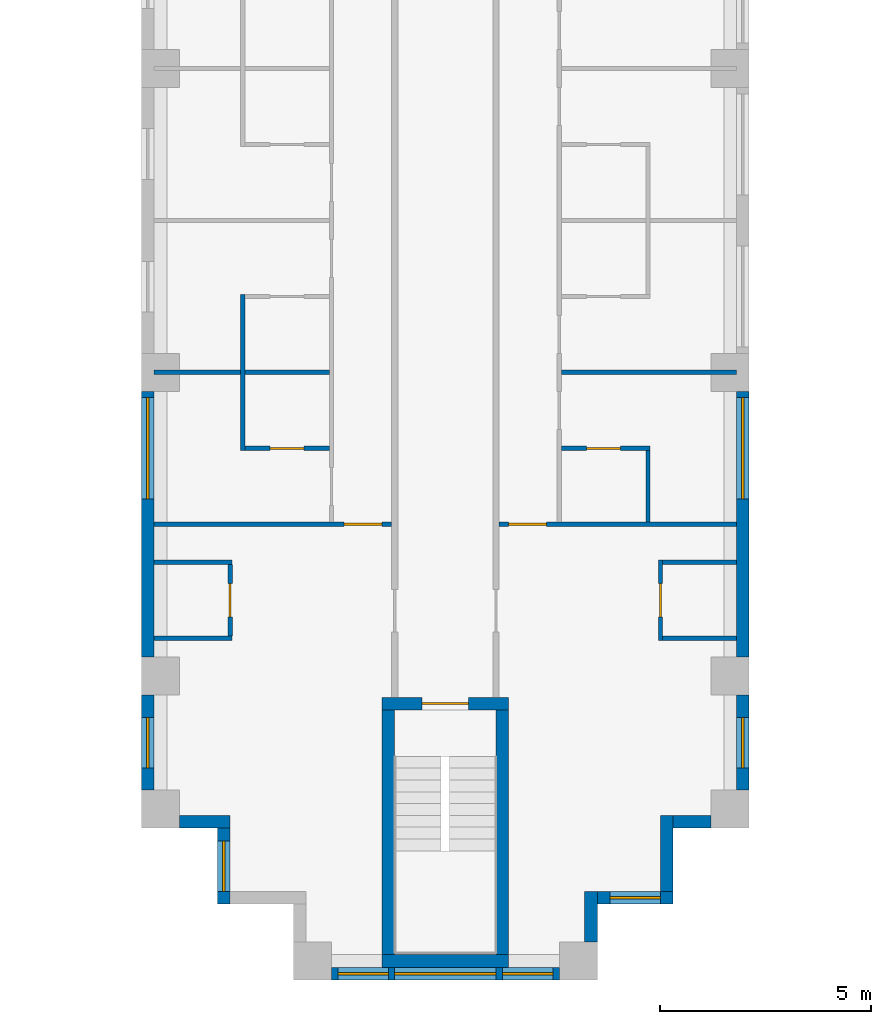
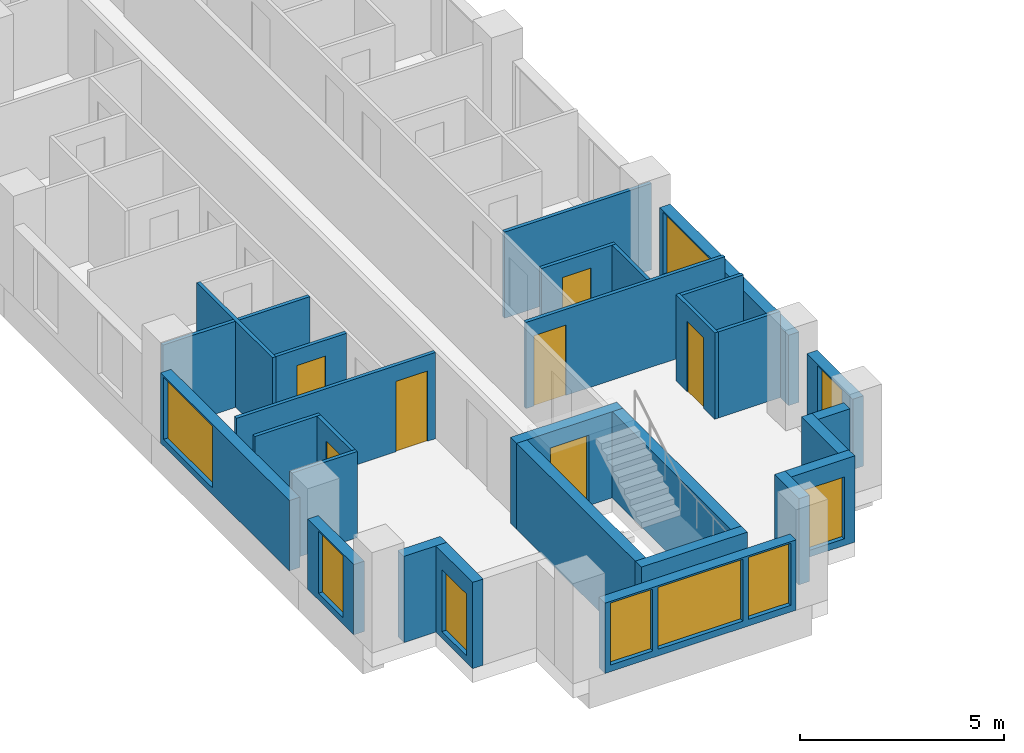
# One storey, part 3 of 16: 29 walls, 9 windows, 7 doors, 16 openings.
"""IFC4 building model written with IfcOpenShell, lengths in metres."""

from ifc_helpers import new_model, si_unit, direction, frame, frame_2d, origin, place, context, subcontext, project, spatial, rectangle, extrude, material, layer, layer_set, type_object, element, fill, save


model = new_model("IFC4")

# Units and contexts
model_context = context("Model", 3, precision=1e-05, world=origin(), true_north=direction((0.0, 1.0)))
body_context = subcontext(model_context, "Body", "Model", "MODEL_VIEW")
ifc_project = project(units=[si_unit("LENGTHUNIT", "METRE"), si_unit("AREAUNIT", "SQUARE_METRE"), si_unit("VOLUMEUNIT", "CUBIC_METRE"), si_unit("PLANEANGLEUNIT", "RADIAN"), si_unit("MASSUNIT", "GRAM", prefix="KILO")], contexts=[model_context])

# Site, building, storey
site_placement = place(None, origin())
site = spatial("IfcSite", under=ifc_project, at=site_placement, CompositionType="ELEMENT")
building_placement = place(site_placement, origin())
building = spatial("IfcBuilding", under=site, at=building_placement, Name="Fustian Cross Tower", CompositionType="ELEMENT")
storey_placement = place(building_placement, frame((0.0, 0.0, 23.699951171875)))
storey = spatial("IfcBuildingStorey", under=building, at=storey_placement, Name="L06", CompositionType="ELEMENT", Elevation=23.699951171875)

# Walls
ifc_material_1 = material(Name="Plasterboard on steel stud", Category="steel")
ifc_layer_1 = layer(ifc_material_1, 0.10009765625)
ifc_layer_set_1 = layer_set([ifc_layer_1], Name="Plasterboard on steel stud")
wall_type_1 = type_object("IfcWallType", Name="PARTITION 100 STUD", PredefinedType="PARTITIONING", material=ifc_layer_set_1)
for number, where, z_axis, x_axis, name in (
    (1, (-6.89990234375, -35.10009765625, 0.0), (0.0, 0.0, 1.0), (1.0, 0.0, 0.0), "Partition 17"),
    (2, (-6.89990234375, -33.300048828125, 0.0), (0.0, 0.0, 1.0), (1.0, 0.0, 0.0), "Partition 18"),
):
    element("IfcWall", number, at=place(storey_placement, frame(where, z_axis=z_axis, x_axis=x_axis)), inside=storey, type_object=wall_type_1, Name=name, PredefinedType="PARTITIONING", context=body_context, shape_type="SweptSolid", body=[
        extrude(rectangle(XDim=1.849853515625, YDim=0.10009765625, at=frame_2d((0.9248046875, 0.0))), origin(), (0.0, 0.0, 1.0), 2.574951171875),
    ])

# Wall, opening, door
wall_1_placement = place(storey_placement, frame((-6.89990234375, -32.39990234375, 0.0), z_axis=(0.0, 0.0, 1.0), x_axis=(1.0, 0.0, 0.0)))
wall_1 = element("IfcWall", 3, at=wall_1_placement, inside=storey, type_object=wall_type_1, Name="Partition 19", PredefinedType="PARTITIONING", context=body_context, shape_type="SweptSolid", body=[
    extrude(rectangle(XDim=5.625, YDim=0.10009765625, at=frame_2d((2.8125, 0.0))), origin(), (0.0, 0.0, 1.0), 2.574951171875),
])
opening_1_placement = place(wall_1_placement, frame((4.5, 0.0, 0.0)))
opening_1 = element("IfcOpeningElement", 4, at=opening_1_placement, cuts=wall_1, Name="Opening D05073", PredefinedType="OPENING", context=body_context, shape_type="SweptSolid", body=[
    extrude(rectangle(XDim=0.89990234375, YDim=2.10009765625, at=frame_2d((0.449951171875, 1.050048828125))), frame((0.0, 0.06005859375, 0.0), z_axis=(0.0, -1.0, 0.0), x_axis=(1.0, 0.0, 0.0)), (0.0, 0.0, 1.0), 0.1201171875),
])
ifc_material_2 = material(Name="Painted timber", Category="wood")
door_type_1 = type_object("IfcDoorType", Name="SWING DOOR 900", OperationType="SINGLE_SWING_LEFT", PredefinedType="DOOR", material=ifc_material_2)
door_1_placement = place(opening_1_placement, origin())
door_1 = element("IfcDoor", 5, at=door_1_placement, inside=storey, type_object=door_type_1, Name="Door D05073", OperationType="SINGLE_SWING_LEFT", OverallHeight=2.10009765625, OverallWidth=0.89990234375, PredefinedType="DOOR", context=body_context, shape_type="SweptSolid", body=[
    extrude(rectangle(XDim=0.89990234375, YDim=2.10009765625, at=frame_2d((0.449951171875, 1.050048828125))), frame((0.0, 0.02490234375, 0.0), z_axis=(0.0, -1.0, 0.0), x_axis=(1.0, 0.0, 0.0)), (0.0, 0.0, 1.0), 0.050048828125),
])
fill(opening_1, door_1)

# Wall
wall_2_placement = place(storey_placement, frame((-6.89990234375, -28.800048828125, 0.0), z_axis=(0.0, 0.0, 1.0), x_axis=(1.0, 0.0, 0.0)))
element("IfcWall", 6, at=wall_2_placement, inside=storey, type_object=wall_type_1, Name="Partition 20", PredefinedType="PARTITIONING", context=body_context, shape_type="SweptSolid", body=[
    extrude(rectangle(XDim=4.14990234375, YDim=0.10009765625, at=frame_2d((2.074951171875, 0.0))), origin(), (0.0, 0.0, 1.0), 2.574951171875),
])

# Wall, opening, door
wall_3_placement = place(storey_placement, frame((-5.10009765625, -35.050048828125, 0.0), z_axis=(0.0, 0.0, 1.0), x_axis=(0.0, 1.0, 0.0)))
wall_3 = element("IfcWall", 7, at=wall_3_placement, inside=storey, type_object=wall_type_1, Name="Partition 31", PredefinedType="PARTITIONING", context=body_context, shape_type="SweptSolid", body=[
    extrude(rectangle(XDim=1.699951171875, YDim=0.10009765625, at=frame_2d((0.85009765625, 0.0))), origin(), (0.0, 0.0, 1.0), 2.574951171875),
])
opening_2_placement = place(wall_3_placement, frame((0.449951171875, 0.0, 0.0)))
opening_2 = element("IfcOpeningElement", 8, at=opening_2_placement, cuts=wall_3, Name="Opening D05067", PredefinedType="OPENING", context=body_context, shape_type="SweptSolid", body=[
    extrude(rectangle(XDim=0.800048828125, YDim=2.10009765625, at=frame_2d((0.39990234375, 1.050048828125))), frame((0.0, 0.06005859375, 0.0), z_axis=(0.0, -1.0, 0.0), x_axis=(1.0, 0.0, 0.0)), (0.0, 0.0, 1.0), 0.1201171875),
])
ifc_material_3 = material(Name="Painted timber", Category="wood")
door_type_2 = type_object("IfcDoorType", Name="SWING DOOR 800", OperationType="SINGLE_SWING_LEFT", PredefinedType="DOOR", material=ifc_material_3)
door_2_placement = place(opening_2_placement, origin())
door_2 = element("IfcDoor", 9, at=door_2_placement, inside=storey, type_object=door_type_2, Name="Door D05067", OperationType="SINGLE_SWING_RIGHT", OverallHeight=2.10009765625, OverallWidth=0.800048828125, PredefinedType="DOOR", context=body_context, shape_type="SweptSolid", body=[
    extrude(rectangle(XDim=0.800048828125, YDim=2.10009765625, at=frame_2d((0.39990234375, 1.050048828125))), frame((0.0, 0.02490234375, 0.0), z_axis=(0.0, -1.0, 0.0), x_axis=(1.0, 0.0, 0.0)), (0.0, 0.0, 1.0), 0.050048828125),
])
fill(opening_2, door_2)

# Wall
wall_4_placement = place(storey_placement, frame((-4.800048828125, -30.64990234375, 0.0), z_axis=(0.0, 0.0, 1.0), x_axis=(0.0, 1.0, 0.0)))
element("IfcWall", 10, at=wall_4_placement, inside=storey, type_object=wall_type_1, Name="Partition 33", PredefinedType="PARTITIONING", context=body_context, shape_type="SweptSolid", body=[
    extrude(rectangle(XDim=3.699951171875, YDim=0.10009765625, at=frame_2d((1.85009765625, 0.0))), origin(), (0.0, 0.0, 1.0), 2.574951171875),
])

# Wall, opening, door
wall_5_placement = place(storey_placement, frame((-4.75, -30.60009765625, 0.0), z_axis=(0.0, 0.0, 1.0), x_axis=(1.0, 0.0, 0.0)))
wall_5 = element("IfcWall", 11, at=wall_5_placement, inside=storey, type_object=wall_type_1, Name="Partition 34", PredefinedType="PARTITIONING", context=body_context, shape_type="SweptSolid", body=[
    extrude(rectangle(XDim=2.0, YDim=0.10009765625, at=frame_2d((1.0, 0.0))), origin(), (0.0, 0.0, 1.0), 2.574951171875),
])
opening_3_placement = place(wall_5_placement, frame((0.60009765625, 0.0, 0.0)))
opening_3 = element("IfcOpeningElement", 12, at=opening_3_placement, cuts=wall_5, Name="Opening D05077", PredefinedType="OPENING", context=body_context, shape_type="SweptSolid", body=[
    extrude(rectangle(XDim=0.800048828125, YDim=2.10009765625, at=frame_2d((0.39990234375, 1.050048828125))), frame((0.0, 0.06005859375, 0.0), z_axis=(0.0, -1.0, 0.0), x_axis=(1.0, 0.0, 0.0)), (0.0, 0.0, 1.0), 0.1201171875),
])
door_3_placement = place(opening_3_placement, origin())
door_3 = element("IfcDoor", 13, at=door_3_placement, inside=storey, type_object=door_type_2, Name="Door D05077", OperationType="SINGLE_SWING_LEFT", OverallHeight=2.10009765625, OverallWidth=0.800048828125, PredefinedType="DOOR", context=body_context, shape_type="SweptSolid", body=[
    extrude(rectangle(XDim=0.800048828125, YDim=2.10009765625, at=frame_2d((0.39990234375, 1.050048828125))), frame((0.0, 0.02490234375, 0.0), z_axis=(0.0, -1.0, 0.0), x_axis=(1.0, 0.0, 0.0)), (0.0, 0.0, 1.0), 0.050048828125),
])
fill(opening_3, door_3)

wall_6_placement = place(storey_placement, frame((1.27490234375, -32.39990234375, 0.0), z_axis=(0.0, 0.0, 1.0), x_axis=(1.0, 0.0, 0.0)))
wall_6 = element("IfcWall", 14, at=wall_6_placement, inside=storey, type_object=wall_type_1, Name="Partition 54", PredefinedType="PARTITIONING", context=body_context, shape_type="SweptSolid", body=[
    extrude(rectangle(XDim=5.625, YDim=0.10009765625, at=frame_2d((2.8125, 0.0))), origin(), (0.0, 0.0, 1.0), 2.574951171875),
])
opening_4_placement = place(wall_6_placement, frame((0.22509765625, 0.0, 0.0)))
opening_4 = element("IfcOpeningElement", 15, at=opening_4_placement, cuts=wall_6, Name="Opening D05053", PredefinedType="OPENING", context=body_context, shape_type="SweptSolid", body=[
    extrude(rectangle(XDim=0.89990234375, YDim=2.10009765625, at=frame_2d((0.449951171875, 1.050048828125))), frame((0.0, 0.06005859375, 0.0), z_axis=(0.0, -1.0, 0.0), x_axis=(1.0, 0.0, 0.0)), (0.0, 0.0, 1.0), 0.1201171875),
])
door_4_placement = place(opening_4_placement, origin())
door_4 = element("IfcDoor", 16, at=door_4_placement, inside=storey, type_object=door_type_1, Name="Door D05053", OperationType="SINGLE_SWING_LEFT", OverallHeight=2.10009765625, OverallWidth=0.89990234375, PredefinedType="DOOR", context=body_context, shape_type="SweptSolid", body=[
    extrude(rectangle(XDim=0.89990234375, YDim=2.10009765625, at=frame_2d((0.449951171875, 1.050048828125))), frame((0.0, 0.02490234375, 0.0), z_axis=(0.0, -1.0, 0.0), x_axis=(1.0, 0.0, 0.0)), (0.0, 0.0, 1.0), 0.050048828125),
])
fill(opening_4, door_4)

wall_7_placement = place(storey_placement, frame((2.75, -30.60009765625, 0.0), z_axis=(0.0, 0.0, 1.0), x_axis=(1.0, 0.0, 0.0)))
wall_7 = element("IfcWall", 17, at=wall_7_placement, inside=storey, type_object=wall_type_1, Name="Partition 65", PredefinedType="PARTITIONING", context=body_context, shape_type="SweptSolid", body=[
    extrude(rectangle(XDim=2.10009765625, YDim=0.10009765625, at=frame_2d((1.050048828125, 0.0))), origin(), (0.0, 0.0, 1.0), 2.574951171875),
])
opening_5_placement = place(wall_7_placement, frame((0.60009765625, 0.0, 0.0)))
opening_5 = element("IfcOpeningElement", 18, at=opening_5_placement, cuts=wall_7, Name="Opening D05063", PredefinedType="OPENING", context=body_context, shape_type="SweptSolid", body=[
    extrude(rectangle(XDim=0.800048828125, YDim=2.10009765625, at=frame_2d((0.39990234375, 1.050048828125))), frame((0.0, 0.06005859375, 0.0), z_axis=(0.0, -1.0, 0.0), x_axis=(1.0, 0.0, 0.0)), (0.0, 0.0, 1.0), 0.1201171875),
])
door_5_placement = place(opening_5_placement, frame((0.800048828125, 0.0, 0.0), z_axis=(0.0, 0.0, 1.0), x_axis=(-1.0, 0.0, 0.0)))
door_5 = element("IfcDoor", 19, at=door_5_placement, inside=storey, type_object=door_type_2, Name="Door D05063", OperationType="SINGLE_SWING_RIGHT", OverallHeight=2.10009765625, OverallWidth=0.800048828125, PredefinedType="DOOR", context=body_context, shape_type="SweptSolid", body=[
    extrude(rectangle(XDim=0.800048828125, YDim=2.10009765625, at=frame_2d((0.39990234375, 1.050048828125))), frame((0.0, 0.02490234375, 0.0), z_axis=(0.0, -1.0, 0.0), x_axis=(1.0, 0.0, 0.0)), (0.0, 0.0, 1.0), 0.050048828125),
])
fill(opening_5, door_5)

# Walls
wall_8_placement = place(storey_placement, frame((2.75, -28.800048828125, 0.0), z_axis=(0.0, 0.0, 1.0), x_axis=(1.0, 0.0, 0.0)))
element("IfcWall", 20, at=wall_8_placement, inside=storey, type_object=wall_type_1, Name="Partition 66", PredefinedType="PARTITIONING", context=body_context, shape_type="SweptSolid", body=[
    extrude(rectangle(XDim=4.14990234375, YDim=0.10009765625, at=frame_2d((2.074951171875, 0.0))), origin(), (0.0, 0.0, 1.0), 2.574951171875),
])
wall_9_placement = place(storey_placement, frame((4.800048828125, -32.35009765625, 0.0), z_axis=(0.0, 0.0, 1.0), x_axis=(0.0, 1.0, 0.0)))
element("IfcWall", 21, at=wall_9_placement, inside=storey, type_object=wall_type_1, Name="Partition 80", PredefinedType="PARTITIONING", context=body_context, shape_type="SweptSolid", body=[
    extrude(rectangle(XDim=1.7001953125, YDim=0.10009765625, at=frame_2d((0.85009765625, 0.0))), origin(), (0.0, 0.0, 1.0), 2.574951171875),
])

# Wall, opening, door
wall_10_placement = place(storey_placement, frame((5.10009765625, -35.14990234375, 0.0), z_axis=(0.0, 0.0, 1.0), x_axis=(0.0, 1.0, 0.0)))
wall_10 = element("IfcWall", 22, at=wall_10_placement, inside=storey, type_object=wall_type_1, Name="Partition 85", PredefinedType="PARTITIONING", context=body_context, shape_type="SweptSolid", body=[
    extrude(rectangle(XDim=1.89990234375, YDim=0.10009765625, at=frame_2d((0.949951171875, 0.0))), origin(), (0.0, 0.0, 1.0), 2.574951171875),
])
opening_6_placement = place(wall_10_placement, frame((0.550048828125, 0.0, 0.0)))
opening_6 = element("IfcOpeningElement", 23, at=opening_6_placement, cuts=wall_10, Name="Opening D05051", PredefinedType="OPENING", context=body_context, shape_type="SweptSolid", body=[
    extrude(rectangle(XDim=0.800048828125, YDim=2.10009765625, at=frame_2d((0.39990234375, 1.050048828125))), frame((0.0, 0.06005859375, 0.0), z_axis=(0.0, -1.0, 0.0), x_axis=(1.0, 0.0, 0.0)), (0.0, 0.0, 1.0), 0.1201171875),
])
door_6_placement = place(opening_6_placement, frame((0.800048828125, 0.0, 0.0), z_axis=(0.0, 0.0, 1.0), x_axis=(-1.0, 0.0, 0.0)))
door_6 = element("IfcDoor", 24, at=door_6_placement, inside=storey, type_object=door_type_2, Name="Door D05051", OperationType="SINGLE_SWING_LEFT", OverallHeight=2.10009765625, OverallWidth=0.800048828125, PredefinedType="DOOR", context=body_context, shape_type="SweptSolid", body=[
    extrude(rectangle(XDim=0.800048828125, YDim=2.10009765625, at=frame_2d((0.39990234375, 1.050048828125))), frame((0.0, 0.02490234375, 0.0), z_axis=(0.0, -1.0, 0.0), x_axis=(1.0, 0.0, 0.0)), (0.0, 0.0, 1.0), 0.050048828125),
])
fill(opening_6, door_6)

# Walls
for number, where, z_axis, x_axis, name in (
    (25, (5.14990234375, -35.10009765625, 0.0), (0.0, 0.0, 1.0), (1.0, 0.0, 0.0), "Partition 86"),
    (26, (5.14990234375, -33.300048828125, 0.0), (0.0, 0.0, 1.0), (1.0, 0.0, 0.0), "Partition 87"),
):
    element("IfcWall", number, at=place(storey_placement, frame(where, z_axis=z_axis, x_axis=x_axis)), inside=storey, type_object=wall_type_1, Name=name, PredefinedType="PARTITIONING", context=body_context, shape_type="SweptSolid", body=[
        extrude(rectangle(XDim=1.75, YDim=0.10009765625, at=frame_2d((0.875, 0.0))), origin(), (0.0, 0.0, 1.0), 2.574951171875),
    ])

# Wall, opening, door
ifc_material_4 = material(Name="Concrete C50/60", Category="concrete")
ifc_layer_2 = layer(ifc_material_4, 0.300048828125)
ifc_layer_set_2 = layer_set([ifc_layer_2], Name="Concrete C50/60")
wall_type_2 = type_object("IfcWallType", Name="STAIR ENCLOSURE WALL 300 C50/60", PredefinedType="SHEAR", material=ifc_layer_set_2)
wall_11_placement = place(storey_placement, frame((-1.5, -36.64990234375, 0.0), z_axis=(0.0, 0.0, 1.0), x_axis=(1.0, 0.0, 0.0)))
wall_11 = element("IfcWall", 27, at=wall_11_placement, inside=storey, type_object=wall_type_2, Name="Stair enclosure wall", PredefinedType="SHEAR", context=body_context, shape_type="SweptSolid", body=[
    extrude(rectangle(XDim=3.0, YDim=0.300048828125, at=frame_2d((1.5, 0.0))), origin(), (0.0, 0.0, 1.0), 2.574951171875),
])
opening_7_placement = place(wall_11_placement, frame((0.949951171875, 0.0, 0.0)))
opening_7 = element("IfcOpeningElement", 28, at=opening_7_placement, cuts=wall_11, Name="Opening CD-05-32", PredefinedType="OPENING", context=body_context, shape_type="SweptSolid", body=[
    extrude(rectangle(XDim=1.10009765625, YDim=2.10009765625, at=frame_2d((0.550048828125, 1.050048828125))), frame((0.0, 0.159912109375, 0.0), z_axis=(0.0, -1.0, 0.0), x_axis=(1.0, 0.0, 0.0)), (0.0, 0.0, 1.0), 0.320068359375),
])
ifc_material_5 = material(Name="Steel", Category="steel")
door_type_3 = type_object("IfcDoorType", Name="FIRE DOOR FD60S 1100X2100", OperationType="SINGLE_SWING_LEFT", PredefinedType="DOOR", material=ifc_material_5)
door_7_placement = place(opening_7_placement, frame((1.10009765625, 0.0, 0.0), z_axis=(0.0, 0.0, 1.0), x_axis=(-1.0, 0.0, 0.0)))
door_7 = element("IfcDoor", 29, at=door_7_placement, inside=storey, type_object=door_type_3, Name="Core door CD-05-32", OperationType="SINGLE_SWING_RIGHT", OverallHeight=2.10009765625, OverallWidth=1.10009765625, PredefinedType="DOOR", context=body_context, shape_type="SweptSolid", body=[
    extrude(rectangle(XDim=1.10009765625, YDim=2.10009765625, at=frame_2d((0.550048828125, 1.050048828125))), frame((0.0, 0.02490234375, 0.0), z_axis=(0.0, -1.0, 0.0), x_axis=(1.0, 0.0, 0.0)), (0.0, 0.0, 1.0), 0.050048828125),
])
fill(opening_7, door_7)

# Walls
wall_12_placement = place(storey_placement, frame((-1.5, -42.75, 0.0), z_axis=(0.0, 0.0, 1.0), x_axis=(1.0, 0.0, 0.0)))
element("IfcWall", 30, at=wall_12_placement, inside=storey, type_object=wall_type_2, Name="Stair enclosure wall", PredefinedType="SHEAR", context=body_context, shape_type="SweptSolid", body=[
    extrude(rectangle(XDim=3.0, YDim=0.300048828125, at=frame_2d((1.5, 0.0))), origin(), (0.0, 0.0, 1.0), 2.574951171875),
])
for number, where, z_axis, x_axis, name in (
    (31, (-1.35009765625, -36.800048828125, 0.0), (0.0, 0.0, 1.0), (0.0, -1.0, 0.0), "Stair enclosure wall"),
    (32, (1.35009765625, -36.800048828125, 0.0), (0.0, 0.0, 1.0), (0.0, -1.0, 0.0), "Stair enclosure wall"),
):
    element("IfcWall", number, at=place(storey_placement, frame(where, z_axis=z_axis, x_axis=x_axis)), inside=storey, type_object=wall_type_2, Name=name, PredefinedType="SHEAR", context=body_context, shape_type="SweptSolid", body=[
        extrude(rectangle(XDim=5.800048828125, YDim=0.300048828125, at=frame_2d((2.89990234375, 0.0))), origin(), (0.0, 0.0, 1.0), 2.574951171875),
    ])

# Wall, opening, window
ifc_material_6 = material(Name="Dark aluminium cladding on insulated backing wall", Category="aluminium")
ifc_layer_3 = layer(ifc_material_6, 0.300048828125)
ifc_layer_set_3 = layer_set([ifc_layer_3], Name="Dark aluminium cladding on insulated backing wall")
wall_type_3 = type_object("IfcWallType", Name="XW1 EXTERNAL WALL 300", PredefinedType="SOLIDWALL", material=ifc_layer_set_3)
wall_13_placement = place(storey_placement, frame((-7.050048828125, -29.25, 0.0), z_axis=(0.0, 0.0, 1.0), x_axis=(0.0, -1.0, 0.0)))
wall_13 = element("IfcWall", 33, at=wall_13_placement, inside=storey, type_object=wall_type_3, Name="External wall", PredefinedType="SOLIDWALL", context=body_context, shape_type="SweptSolid", body=[
    extrude(rectangle(XDim=6.300048828125, YDim=0.300048828125, at=frame_2d((3.14990234375, 0.0))), origin(), (0.0, 0.0, 1.0), 2.10009765625),
])
opening_8_placement = place(wall_13_placement, frame((0.14990234375, 0.0, 0.199951171875)))
opening_8 = element("IfcOpeningElement", 34, at=opening_8_placement, cuts=wall_13, Name="Opening WN1", PredefinedType="OPENING", context=body_context, shape_type="SweptSolid", body=[
    extrude(rectangle(XDim=2.39990234375, YDim=1.85009765625, at=frame_2d((1.199951171875, 0.925048828125))), frame((0.0, 0.159912109375, 0.0), z_axis=(0.0, -1.0, 0.0), x_axis=(1.0, 0.0, 0.0)), (0.0, 0.0, 1.0), 0.320068359375),
])
ifc_material_7 = material(Name="Dark anodised aluminium and double glazing", Category="aluminium")
window_type_1 = type_object("IfcWindowType", Name="WN1 WINDOW 2400X1850", PartitioningType="SINGLE_PANEL", PredefinedType="WINDOW", material=ifc_material_7)
window_1_placement = place(opening_8_placement, origin())
window_1 = element("IfcWindow", 35, at=window_1_placement, inside=storey, type_object=window_type_1, Name="Window", OverallHeight=1.85009765625, OverallWidth=2.39990234375, PartitioningType="SINGLE_PANEL", PredefinedType="WINDOW", context=body_context, shape_type="SweptSolid", body=[
    extrude(rectangle(XDim=2.39990234375, YDim=1.85009765625, at=frame_2d((1.199951171875, 0.925048828125))), frame((0.0, 0.030029296875, 0.0), z_axis=(0.0, -1.0, 0.0), x_axis=(1.0, 0.0, 0.0)), (0.0, 0.0, 1.0), 0.06005859375),
])
fill(opening_8, window_1)

wall_14_placement = place(storey_placement, frame((-7.050048828125, -36.449951171875, 0.0), z_axis=(0.0, 0.0, 1.0), x_axis=(0.0, -1.0, 0.0)))
wall_14 = element("IfcWall", 36, at=wall_14_placement, inside=storey, type_object=wall_type_3, Name="External wall", PredefinedType="SOLIDWALL", context=body_context, shape_type="SweptSolid", body=[
    extrude(rectangle(XDim=2.25, YDim=0.300048828125, at=frame_2d((1.125, 0.0))), origin(), (0.0, 0.0, 1.0), 2.10009765625),
])
opening_9_placement = place(wall_14_placement, frame((0.52490234375, 0.0, 0.199951171875)))
opening_9 = element("IfcOpeningElement", 37, at=opening_9_placement, cuts=wall_14, Name="Opening WN3", PredefinedType="OPENING", context=body_context, shape_type="SweptSolid", body=[
    extrude(rectangle(XDim=1.199951171875, YDim=1.85009765625, at=frame_2d((0.60009765625, 0.925048828125))), frame((0.0, 0.159912109375, 0.0), z_axis=(0.0, -1.0, 0.0), x_axis=(1.0, 0.0, 0.0)), (0.0, 0.0, 1.0), 0.320068359375),
])
ifc_material_8 = material(Name="Dark anodised aluminium and double glazing", Category="aluminium")
window_type_2 = type_object("IfcWindowType", Name="WN3 WINDOW 1200X1850", PartitioningType="SINGLE_PANEL", PredefinedType="WINDOW", material=ifc_material_8)
window_2_placement = place(opening_9_placement, origin())
window_2 = element("IfcWindow", 38, at=window_2_placement, inside=storey, type_object=window_type_2, Name="Window", OverallHeight=1.85009765625, OverallWidth=1.199951171875, PartitioningType="SINGLE_PANEL", PredefinedType="WINDOW", context=body_context, shape_type="SweptSolid", body=[
    extrude(rectangle(XDim=1.199951171875, YDim=1.85009765625, at=frame_2d((0.60009765625, 0.925048828125))), frame((0.0, 0.030029296875, 0.0), z_axis=(0.0, -1.0, 0.0), x_axis=(1.0, 0.0, 0.0)), (0.0, 0.0, 1.0), 0.06005859375),
])
fill(opening_9, window_2)

# Wall
wall_15_placement = place(storey_placement, frame((-6.300048828125, -39.449951171875, 0.0), z_axis=(0.0, 0.0, 1.0), x_axis=(1.0, 0.0, 0.0)))
element("IfcWall", 39, at=wall_15_placement, inside=storey, type_object=wall_type_3, Name="External wall", PredefinedType="SOLIDWALL", context=body_context, shape_type="SweptSolid", body=[
    extrude(rectangle(XDim=1.199951171875, YDim=0.300048828125, at=frame_2d((0.60009765625, 0.0))), origin(), (0.0, 0.0, 1.0), 2.574951171875),
])

# Wall, opening, window
wall_16_placement = place(storey_placement, frame((-5.25, -39.60009765625, 0.0), z_axis=(0.0, 0.0, 1.0), x_axis=(0.0, -1.0, 0.0)))
wall_16 = element("IfcWall", 40, at=wall_16_placement, inside=storey, type_object=wall_type_3, Name="External wall", PredefinedType="SOLIDWALL", context=body_context, shape_type="SweptSolid", body=[
    extrude(rectangle(XDim=1.7998046875, YDim=0.300048828125, at=frame_2d((0.89990234375, 0.0))), origin(), (0.0, 0.0, 1.0), 2.574951171875),
])
opening_10_placement = place(wall_16_placement, frame((0.300048828125, 0.0, 0.199951171875)))
opening_10 = element("IfcOpeningElement", 41, at=opening_10_placement, cuts=wall_16, Name="Opening WN3", PredefinedType="OPENING", context=body_context, shape_type="SweptSolid", body=[
    extrude(rectangle(XDim=1.199951171875, YDim=1.85009765625, at=frame_2d((0.60009765625, 0.925048828125))), frame((0.0, 0.159912109375, 0.0), z_axis=(0.0, -1.0, 0.0), x_axis=(1.0, 0.0, 0.0)), (0.0, 0.0, 1.0), 0.320068359375),
])
window_3_placement = place(opening_10_placement, origin())
window_3 = element("IfcWindow", 42, at=window_3_placement, inside=storey, type_object=window_type_2, Name="Window", OverallHeight=1.85009765625, OverallWidth=1.199951171875, PartitioningType="SINGLE_PANEL", PredefinedType="WINDOW", context=body_context, shape_type="SweptSolid", body=[
    extrude(rectangle(XDim=1.199951171875, YDim=1.85009765625, at=frame_2d((0.60009765625, 0.925048828125))), frame((0.0, 0.030029296875, 0.0), z_axis=(0.0, -1.0, 0.0), x_axis=(1.0, 0.0, 0.0)), (0.0, 0.0, 1.0), 0.06005859375),
])
fill(opening_10, window_3)

# Wall, openings, windows
wall_17_placement = place(storey_placement, frame((-2.699951171875, -43.050048828125, 0.0), z_axis=(0.0, 0.0, 1.0), x_axis=(1.0, 0.0, 0.0)))
wall_17 = element("IfcWall", 43, at=wall_17_placement, inside=storey, type_object=wall_type_3, Name="External wall", PredefinedType="SOLIDWALL", context=body_context, shape_type="SweptSolid", body=[
    extrude(rectangle(XDim=5.39990234375, YDim=0.300048828125, at=frame_2d((2.699951171875, 0.0))), origin(), (0.0, 0.0, 1.0), 2.10009765625),
])
opening_11_placement = place(wall_17_placement, frame((1.5, 0.0, 0.199951171875)))
opening_11 = element("IfcOpeningElement", 44, at=opening_11_placement, cuts=wall_17, Name="Opening WN1", PredefinedType="OPENING", context=body_context, shape_type="SweptSolid", body=[
    extrude(rectangle(XDim=2.39990234375, YDim=1.85009765625, at=frame_2d((1.199951171875, 0.925048828125))), frame((0.0, 0.159912109375, 0.0), z_axis=(0.0, -1.0, 0.0), x_axis=(1.0, 0.0, 0.0)), (0.0, 0.0, 1.0), 0.320068359375),
])
opening_12_placement = place(wall_17_placement, frame((0.14990234375, 0.0, 0.199951171875)))
opening_12 = element("IfcOpeningElement", 45, at=opening_12_placement, cuts=wall_17, Name="Opening WN3", PredefinedType="OPENING", context=body_context, shape_type="SweptSolid", body=[
    extrude(rectangle(XDim=1.199951171875, YDim=1.85009765625, at=frame_2d((0.60009765625, 0.925048828125))), frame((0.0, 0.159912109375, 0.0), z_axis=(0.0, -1.0, 0.0), x_axis=(1.0, 0.0, 0.0)), (0.0, 0.0, 1.0), 0.320068359375),
])
opening_13_placement = place(wall_17_placement, frame((4.050048828125, 0.0, 0.199951171875)))
opening_13 = element("IfcOpeningElement", 46, at=opening_13_placement, cuts=wall_17, Name="Opening WN3", PredefinedType="OPENING", context=body_context, shape_type="SweptSolid", body=[
    extrude(rectangle(XDim=1.199951171875, YDim=1.85009765625, at=frame_2d((0.60009765625, 0.925048828125))), frame((0.0, 0.159912109375, 0.0), z_axis=(0.0, -1.0, 0.0), x_axis=(1.0, 0.0, 0.0)), (0.0, 0.0, 1.0), 0.320068359375),
])
window_4_placement = place(opening_11_placement, origin())
window_4 = element("IfcWindow", 47, at=window_4_placement, inside=storey, type_object=window_type_1, Name="Window", OverallHeight=1.85009765625, OverallWidth=2.39990234375, PartitioningType="SINGLE_PANEL", PredefinedType="WINDOW", context=body_context, shape_type="SweptSolid", body=[
    extrude(rectangle(XDim=2.39990234375, YDim=1.85009765625, at=frame_2d((1.199951171875, 0.925048828125))), frame((0.0, 0.030029296875, 0.0), z_axis=(0.0, -1.0, 0.0), x_axis=(1.0, 0.0, 0.0)), (0.0, 0.0, 1.0), 0.06005859375),
])
fill(opening_11, window_4)
window_5_placement = place(opening_12_placement, origin())
window_5 = element("IfcWindow", 48, at=window_5_placement, inside=storey, type_object=window_type_2, Name="Window", OverallHeight=1.85009765625, OverallWidth=1.199951171875, PartitioningType="SINGLE_PANEL", PredefinedType="WINDOW", context=body_context, shape_type="SweptSolid", body=[
    extrude(rectangle(XDim=1.199951171875, YDim=1.85009765625, at=frame_2d((0.60009765625, 0.925048828125))), frame((0.0, 0.030029296875, 0.0), z_axis=(0.0, -1.0, 0.0), x_axis=(1.0, 0.0, 0.0)), (0.0, 0.0, 1.0), 0.06005859375),
])
fill(opening_12, window_5)
window_6_placement = place(opening_13_placement, origin())
window_6 = element("IfcWindow", 49, at=window_6_placement, inside=storey, type_object=window_type_2, Name="Window", OverallHeight=1.85009765625, OverallWidth=1.199951171875, PartitioningType="SINGLE_PANEL", PredefinedType="WINDOW", context=body_context, shape_type="SweptSolid", body=[
    extrude(rectangle(XDim=1.199951171875, YDim=1.85009765625, at=frame_2d((0.60009765625, 0.925048828125))), frame((0.0, 0.030029296875, 0.0), z_axis=(0.0, -1.0, 0.0), x_axis=(1.0, 0.0, 0.0)), (0.0, 0.0, 1.0), 0.06005859375),
])
fill(opening_13, window_6)

# Wall
wall_18_placement = place(storey_placement, frame((3.449951171875, -42.300048828125, 0.0), z_axis=(0.0, 0.0, 1.0), x_axis=(0.0, 1.0, 0.0)))
element("IfcWall", 50, at=wall_18_placement, inside=storey, type_object=wall_type_3, Name="External wall", PredefinedType="SOLIDWALL", context=body_context, shape_type="SweptSolid", body=[
    extrude(rectangle(XDim=1.199951171875, YDim=0.300048828125, at=frame_2d((0.60009765625, 0.0))), origin(), (0.0, 0.0, 1.0), 2.574951171875),
])

# Wall, opening, window
wall_19_placement = place(storey_placement, frame((3.60009765625, -41.25, 0.0), z_axis=(0.0, 0.0, 1.0), x_axis=(1.0, 0.0, 0.0)))
wall_19 = element("IfcWall", 51, at=wall_19_placement, inside=storey, type_object=wall_type_3, Name="External wall", PredefinedType="SOLIDWALL", context=body_context, shape_type="SweptSolid", body=[
    extrude(rectangle(XDim=1.7998046875, YDim=0.300048828125, at=frame_2d((0.89990234375, 0.0))), origin(), (0.0, 0.0, 1.0), 2.574951171875),
])
opening_14_placement = place(wall_19_placement, frame((0.300048828125, 0.0, 0.199951171875)))
opening_14 = element("IfcOpeningElement", 52, at=opening_14_placement, cuts=wall_19, Name="Opening WN3", PredefinedType="OPENING", context=body_context, shape_type="SweptSolid", body=[
    extrude(rectangle(XDim=1.199951171875, YDim=1.85009765625, at=frame_2d((0.60009765625, 0.925048828125))), frame((0.0, 0.159912109375, 0.0), z_axis=(0.0, -1.0, 0.0), x_axis=(1.0, 0.0, 0.0)), (0.0, 0.0, 1.0), 0.320068359375),
])
window_7_placement = place(opening_14_placement, origin())
window_7 = element("IfcWindow", 53, at=window_7_placement, inside=storey, type_object=window_type_2, Name="Window", OverallHeight=1.85009765625, OverallWidth=1.199951171875, PartitioningType="SINGLE_PANEL", PredefinedType="WINDOW", context=body_context, shape_type="SweptSolid", body=[
    extrude(rectangle(XDim=1.199951171875, YDim=1.85009765625, at=frame_2d((0.60009765625, 0.925048828125))), frame((0.0, 0.030029296875, 0.0), z_axis=(0.0, -1.0, 0.0), x_axis=(1.0, 0.0, 0.0)), (0.0, 0.0, 1.0), 0.06005859375),
])
fill(opening_14, window_7)

# Walls
wall_20_placement = place(storey_placement, frame((5.25, -41.10009765625, 0.0), z_axis=(0.0, 0.0, 1.0), x_axis=(0.0, 1.0, 0.0)))
element("IfcWall", 54, at=wall_20_placement, inside=storey, type_object=wall_type_3, Name="External wall", PredefinedType="SOLIDWALL", context=body_context, shape_type="SweptSolid", body=[
    extrude(rectangle(XDim=1.800048828125, YDim=0.300048828125, at=frame_2d((0.89990234375, 0.0))), origin(), (0.0, 0.0, 1.0), 2.574951171875),
])
wall_21_placement = place(storey_placement, frame((5.39990234375, -39.449951171875, 0.0), z_axis=(0.0, 0.0, 1.0), x_axis=(1.0, 0.0, 0.0)))
element("IfcWall", 55, at=wall_21_placement, inside=storey, type_object=wall_type_3, Name="External wall", PredefinedType="SOLIDWALL", context=body_context, shape_type="SweptSolid", body=[
    extrude(rectangle(XDim=0.900146484375, YDim=0.300048828125, at=frame_2d((0.4501953125, 0.0))), origin(), (0.0, 0.0, 1.0), 2.574951171875),
])

# Wall, opening, window
wall_22_placement = place(storey_placement, frame((7.050048828125, -38.699951171875, 0.0), z_axis=(0.0, 0.0, 1.0), x_axis=(0.0, 1.0, 0.0)))
wall_22 = element("IfcWall", 56, at=wall_22_placement, inside=storey, type_object=wall_type_3, Name="External wall", PredefinedType="SOLIDWALL", context=body_context, shape_type="SweptSolid", body=[
    extrude(rectangle(XDim=2.25, YDim=0.300048828125, at=frame_2d((1.125, 0.0))), origin(), (0.0, 0.0, 1.0), 2.10009765625),
])
opening_15_placement = place(wall_22_placement, frame((0.52490234375, 0.0, 0.199951171875)))
opening_15 = element("IfcOpeningElement", 57, at=opening_15_placement, cuts=wall_22, Name="Opening WN3", PredefinedType="OPENING", context=body_context, shape_type="SweptSolid", body=[
    extrude(rectangle(XDim=1.199951171875, YDim=1.85009765625, at=frame_2d((0.60009765625, 0.925048828125))), frame((0.0, 0.159912109375, 0.0), z_axis=(0.0, -1.0, 0.0), x_axis=(1.0, 0.0, 0.0)), (0.0, 0.0, 1.0), 0.320068359375),
])
window_8_placement = place(opening_15_placement, origin())
window_8 = element("IfcWindow", 58, at=window_8_placement, inside=storey, type_object=window_type_2, Name="Window", OverallHeight=1.85009765625, OverallWidth=1.199951171875, PartitioningType="SINGLE_PANEL", PredefinedType="WINDOW", context=body_context, shape_type="SweptSolid", body=[
    extrude(rectangle(XDim=1.199951171875, YDim=1.85009765625, at=frame_2d((0.60009765625, 0.925048828125))), frame((0.0, 0.030029296875, 0.0), z_axis=(0.0, -1.0, 0.0), x_axis=(1.0, 0.0, 0.0)), (0.0, 0.0, 1.0), 0.06005859375),
])
fill(opening_15, window_8)

wall_23_placement = place(storey_placement, frame((7.050048828125, -35.550048828125, 0.0), z_axis=(0.0, 0.0, 1.0), x_axis=(0.0, 1.0, 0.0)))
wall_23 = element("IfcWall", 59, at=wall_23_placement, inside=storey, type_object=wall_type_3, Name="External wall", PredefinedType="SOLIDWALL", context=body_context, shape_type="SweptSolid", body=[
    extrude(rectangle(XDim=6.300048828125, YDim=0.300048828125, at=frame_2d((3.14990234375, 0.0))), origin(), (0.0, 0.0, 1.0), 2.10009765625),
])
opening_16_placement = place(wall_23_placement, frame((3.75, 0.0, 0.199951171875)))
opening_16 = element("IfcOpeningElement", 60, at=opening_16_placement, cuts=wall_23, Name="Opening WN1", PredefinedType="OPENING", context=body_context, shape_type="SweptSolid", body=[
    extrude(rectangle(XDim=2.39990234375, YDim=1.85009765625, at=frame_2d((1.199951171875, 0.925048828125))), frame((0.0, 0.159912109375, 0.0), z_axis=(0.0, -1.0, 0.0), x_axis=(1.0, 0.0, 0.0)), (0.0, 0.0, 1.0), 0.320068359375),
])
window_9_placement = place(opening_16_placement, origin())
window_9 = element("IfcWindow", 61, at=window_9_placement, inside=storey, type_object=window_type_1, Name="Window", OverallHeight=1.85009765625, OverallWidth=2.39990234375, PartitioningType="SINGLE_PANEL", PredefinedType="WINDOW", context=body_context, shape_type="SweptSolid", body=[
    extrude(rectangle(XDim=2.39990234375, YDim=1.85009765625, at=frame_2d((1.199951171875, 0.925048828125))), frame((0.0, 0.030029296875, 0.0), z_axis=(0.0, -1.0, 0.0), x_axis=(1.0, 0.0, 0.0)), (0.0, 0.0, 1.0), 0.06005859375),
])
fill(opening_16, window_9)

save(model, "model.ifc")
